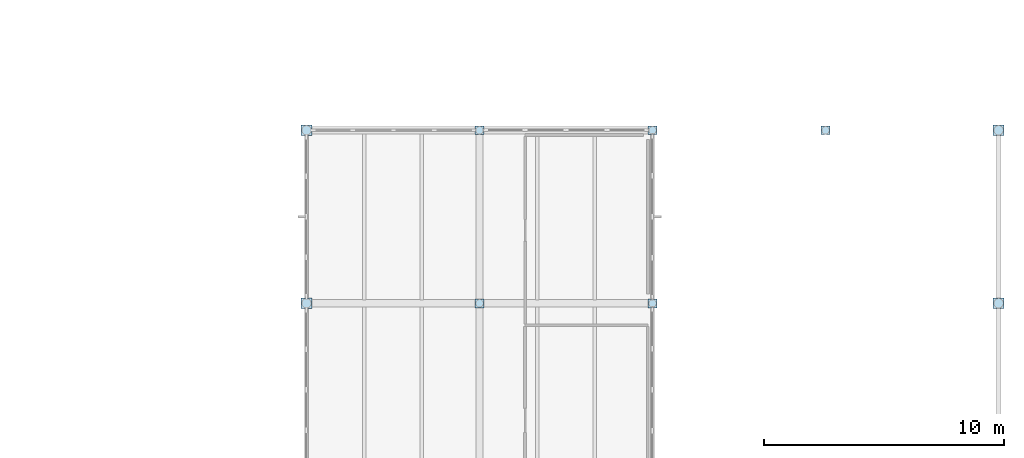
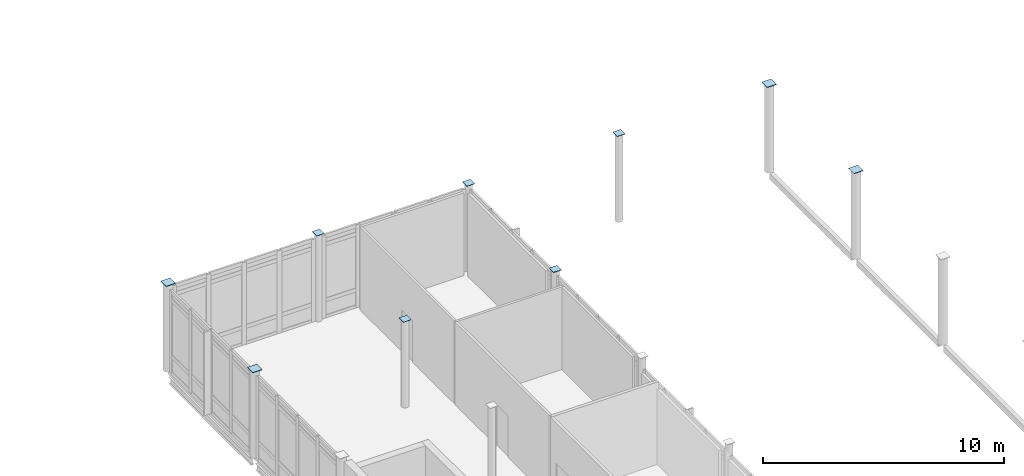
# One storey, part 50 of 76: 9 plates.
"""IFC4 building model written with IfcOpenShell, lengths in metres."""

from ifc_helpers import new_model, si_unit, direction, frame, origin, origin_2d, place, context, subcontext, project, spatial, rectangle, extrude, material, layer, layer_set, type_object, element, save


model = new_model("IFC4")

# Units and contexts
model_context = context("Model", 3, precision=1e-05, world=origin(), true_north=direction((0.0, 1.0)))
body_context = subcontext(model_context, "Body", "Model", "MODEL_VIEW")
ifc_project = project(units=[si_unit("LENGTHUNIT", "METRE"), si_unit("AREAUNIT", "SQUARE_METRE"), si_unit("VOLUMEUNIT", "CUBIC_METRE"), si_unit("PLANEANGLEUNIT", "RADIAN"), si_unit("MASSUNIT", "GRAM", prefix="KILO")], contexts=[model_context])

# Site, building, storey
site_placement = place(None, origin())
site = spatial("IfcSite", under=ifc_project, at=site_placement, CompositionType="ELEMENT")
building_placement = place(site_placement, origin())
building = spatial("IfcBuilding", under=site, at=building_placement, Name="Zarrinpeak Specialist Clinic", CompositionType="ELEMENT")
storey_placement = place(building_placement, frame((0.0, 0.0, 5.199951171875)))
storey = spatial("IfcBuildingStorey", under=building, at=storey_placement, Name="L01", CompositionType="ELEMENT", Elevation=5.199951171875)

# Plates
ifc_material = material(Name="Steel S355", Category="steel")
ifc_layer_1 = layer(ifc_material, 0.02001953125)
ifc_layer_set_1 = layer_set([ifc_layer_1], Name="Steel S355")
plate_type_1 = type_object("IfcPlateType", Name="PL-CAP324", PredefinedType="SHEET", material=ifc_layer_set_1)
for number, where, z_axis, x_axis, name in (
    (1, (100.800048828125, 64.800048828125, 4.39599609375), (0.0, 0.0, 1.0), (1.0, 0.0, 0.0), "L01 Hollow Column Top Cap Plate CCAP-T-076"),
    (2, (100.800048828125, 72.0, 4.39599609375), (0.0, 0.0, 1.0), (1.0, 0.0, 0.0), "L01 Hollow Column Top Cap Plate CCAP-T-077"),
    (3, (108.0, 64.800048828125, 4.39599609375), (0.0, 0.0, 1.0), (1.0, 0.0, 0.0), "L01 Hollow Column Top Cap Plate CCAP-T-083"),
    (4, (108.0, 72.0, 4.39599609375), (0.0, 0.0, 1.0), (1.0, 0.0, 0.0), "L01 Hollow Column Top Cap Plate CCAP-T-084"),
    (5, (115.199951171875, 72.0, 4.39599609375), (0.0, 0.0, 1.0), (1.0, 0.0, 0.0), "L01 Hollow Column Top Cap Plate CCAP-T-086"),
):
    element("IfcPlate", number, at=place(storey_placement, frame(where, z_axis=z_axis, x_axis=x_axis)), inside=storey, type_object=plate_type_1, Name=name, PredefinedType="SHEET", context=body_context, shape_type="SweptSolid", body=[
        extrude(rectangle(XDim=0.3701171875, YDim=0.3701171875, at=origin_2d()), origin(), (0.0, 0.0, 1.0), 0.02001953125),
    ])
ifc_layer_2 = layer(ifc_material, 0.02197265625)
ifc_layer_set_2 = layer_set([ifc_layer_2], Name="Steel S355")
plate_type_2 = type_object("IfcPlateType", Name="PL-CAP406", PredefinedType="SHEET", material=ifc_layer_set_2)
for number, where, z_axis, x_axis, name in (
    (6, (93.60009765625, 64.800048828125, 4.39599609375), (0.0, 0.0, 1.0), (1.0, 0.0, 0.0), "L01 Hollow Column Top Cap Plate CCAP-T-069"),
    (7, (93.60009765625, 72.0, 4.39599609375), (0.0, 0.0, 1.0), (1.0, 0.0, 0.0), "L01 Hollow Column Top Cap Plate CCAP-T-070"),
    (8, (122.39990234375, 64.800048828125, 4.39599609375), (0.0, 0.0, 1.0), (1.0, 0.0, 0.0), "L01 Hollow Column Top Cap Plate CCAP-T-092"),
    (9, (122.39990234375, 72.0, 4.39599609375), (0.0, 0.0, 1.0), (1.0, 0.0, 0.0), "L01 Hollow Column Top Cap Plate CCAP-T-093"),
):
    element("IfcPlate", number, at=place(storey_placement, frame(where, z_axis=z_axis, x_axis=x_axis)), inside=storey, type_object=plate_type_2, Name=name, PredefinedType="SHEET", context=body_context, shape_type="SweptSolid", body=[
        extrude(rectangle(XDim=0.449951171875, YDim=0.449951171875, at=origin_2d()), origin(), (0.0, 0.0, 1.0), 0.02197265625),
    ])

save(model, "model.ifc")
